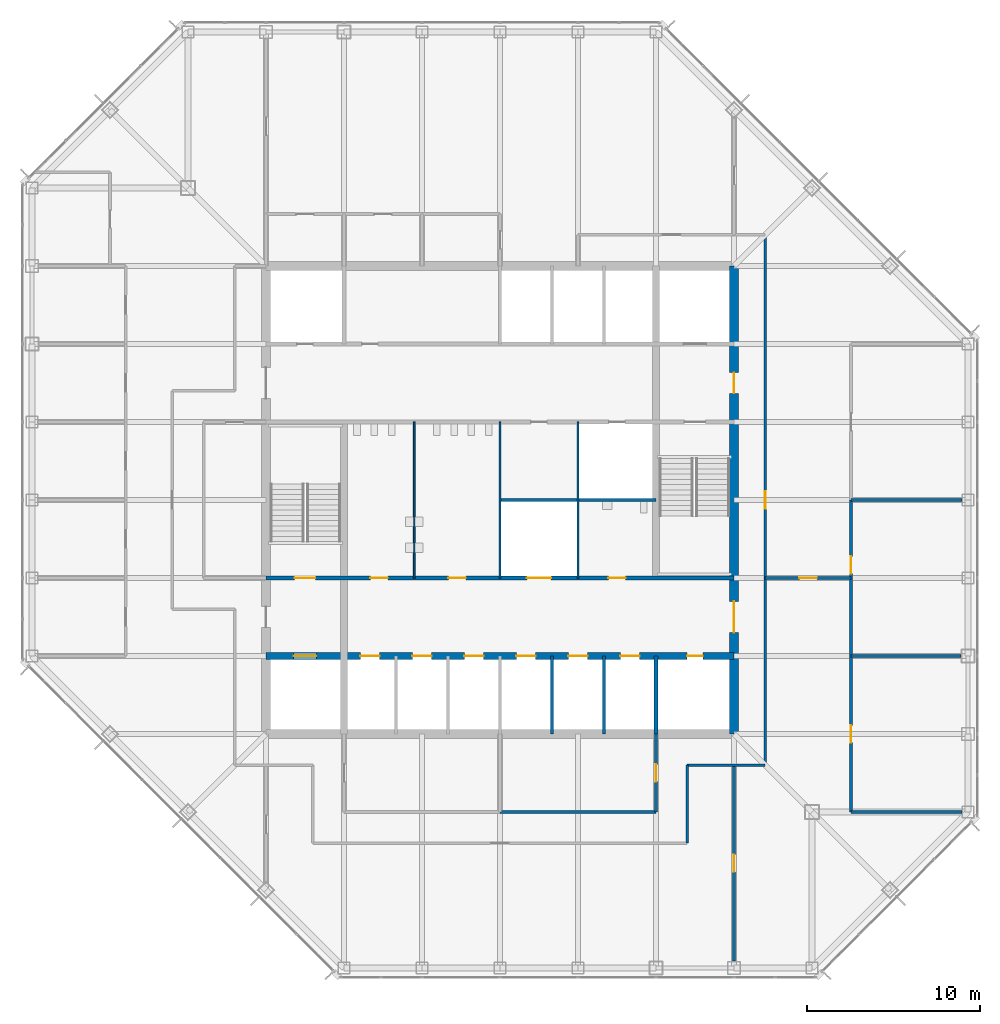
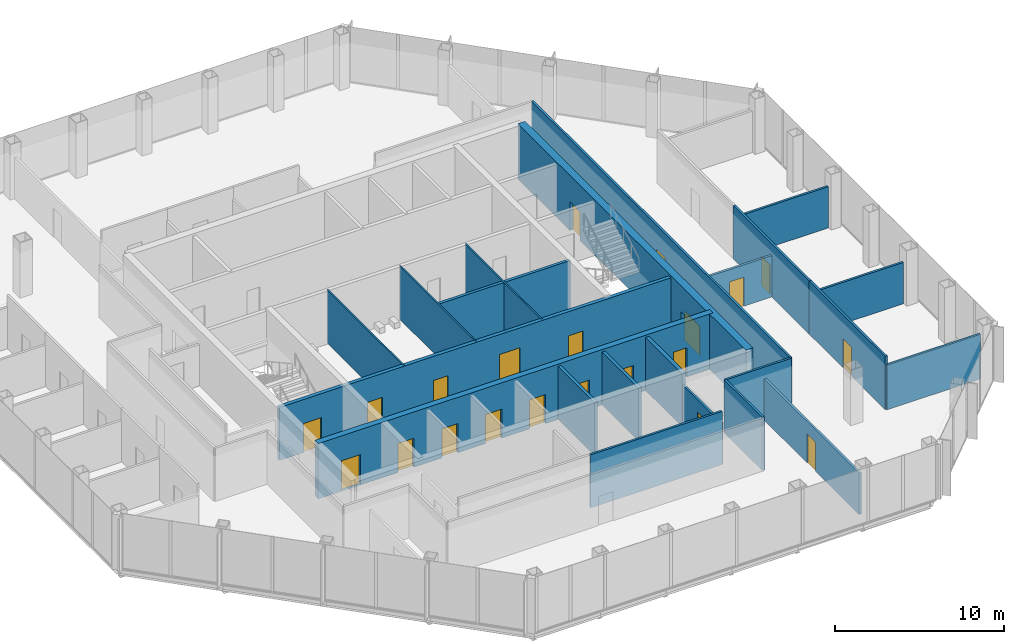
# One storey, part 9 of 13: 22 walls, 21 doors, 21 openings.
"""IFC4 building model written with IfcOpenShell, lengths in metres."""

from ifc_helpers import new_model, si_unit, direction, frame, frame_2d, origin, place, context, subcontext, project, spatial, rectangle, extrude, material, layer, layer_set, type_object, element, fill, save


model = new_model("IFC4")

# Units and contexts
model_context = context("Model", 3, precision=1e-05, world=origin(), true_north=direction((0.0, 1.0)))
body_context = subcontext(model_context, "Body", "Model", "MODEL_VIEW")
ifc_project = project(units=[si_unit("LENGTHUNIT", "METRE"), si_unit("AREAUNIT", "SQUARE_METRE"), si_unit("VOLUMEUNIT", "CUBIC_METRE"), si_unit("PLANEANGLEUNIT", "RADIAN"), si_unit("MASSUNIT", "GRAM", prefix="KILO")], contexts=[model_context])

# Site, building, storey
site_placement = place(None, origin())
site = spatial("IfcSite", under=ifc_project, at=site_placement, CompositionType="ELEMENT")
building_placement = place(site_placement, origin())
building = spatial("IfcBuilding", under=site, at=building_placement, Name="Corais Broadcast Tower", CompositionType="ELEMENT")
storey_placement = place(building_placement, frame((0.0, 0.0, 155.60009765625)))
storey = spatial("IfcBuildingStorey", under=building, at=storey_placement, Name="L35", CompositionType="ELEMENT", Elevation=155.60009765625)

# Wall
ifc_material_1 = material(Name="Concrete blockwork class A, grouted, two-hour", Category="masonry")
ifc_layer_1 = layer(ifc_material_1, 0.25)
ifc_layer_set_1 = layer_set([ifc_layer_1], Name="Concrete blockwork class A, grouted, two-hour")
wall_type_1 = type_object("IfcWallType", Name="Core lobby wall 250", PredefinedType="SOLIDWALL", material=ifc_layer_set_1)
wall_1_placement = place(storey_placement, frame((36.0, 13.5, 0.0), z_axis=(0.0, 0.0, 1.0), x_axis=(0.0, 1.0, 0.0)))
element("IfcWall", 1, at=wall_1_placement, inside=storey, type_object=wall_type_1, Name="CL2 core shaft wall X36A L35", PredefinedType="SOLIDWALL", context=body_context, shape_type="SweptSolid", body=[
    extrude(rectangle(XDim=4.5, YDim=0.25, at=frame_2d((2.25, 0.0))), origin(), (0.0, 0.0, 1.0), 3.83984375),
])

# Wall, openings, doors
wall_2_placement = place(storey_placement, frame((13.5, 22.5, 0.0), z_axis=(0.0, 0.0, 1.0), x_axis=(1.0, 0.0, 0.0)))
wall_2 = element("IfcWall", 2, at=wall_2_placement, inside=storey, type_object=wall_type_1, Name="CL2 core lobby wall Y225 L35", PredefinedType="SOLIDWALL", context=body_context, shape_type="SweptSolid", body=[
    extrude(rectangle(XDim=27.0, YDim=0.25, at=frame_2d((13.5, 0.0))), origin(), (0.0, 0.0, 1.0), 3.83984375),
])
opening_1_placement = place(wall_2_placement, frame((1.64990234375, 0.0, 0.0)))
opening_1 = element("IfcOpeningElement", 3, at=opening_1_placement, cuts=wall_2, Name="Opening FD1", PredefinedType="OPENING", context=body_context, shape_type="SweptSolid", body=[
    extrude(rectangle(XDim=1.199951171875, YDim=2.10009765625, at=frame_2d((0.60009765625, 1.050048828125))), frame((0.0, 0.135009765625, 0.0), z_axis=(0.0, -1.0, 0.0), x_axis=(1.0, 0.0, 0.0)), (0.0, 0.0, 1.0), 0.27001953125),
])
opening_2_placement = place(wall_2_placement, frame((6.02490234375, 0.0, 0.0)))
opening_2 = element("IfcOpeningElement", 4, at=opening_2_placement, cuts=wall_2, Name="Opening WD1", PredefinedType="OPENING", context=body_context, shape_type="SweptSolid", body=[
    extrude(rectangle(XDim=1.0, YDim=2.10009765625, at=frame_2d((0.5, 1.050048828125))), frame((0.0, 0.135009765625, 0.0), z_axis=(0.0, -1.0, 0.0), x_axis=(1.0, 0.0, 0.0)), (0.0, 0.0, 1.0), 0.27001953125),
])
opening_3_placement = place(wall_2_placement, frame((10.52490234375, 0.0, 0.0)))
opening_3 = element("IfcOpeningElement", 5, at=opening_3_placement, cuts=wall_2, Name="Opening WD1", PredefinedType="OPENING", context=body_context, shape_type="SweptSolid", body=[
    extrude(rectangle(XDim=1.0, YDim=2.10009765625, at=frame_2d((0.5, 1.050048828125))), frame((0.0, 0.135009765625, 0.0), z_axis=(0.0, -1.0, 0.0), x_axis=(1.0, 0.0, 0.0)), (0.0, 0.0, 1.0), 0.27001953125),
])
opening_4_placement = place(wall_2_placement, frame((19.75, 0.0, 0.0)))
opening_4 = element("IfcOpeningElement", 6, at=opening_4_placement, cuts=wall_2, Name="Opening WD1", PredefinedType="OPENING", context=body_context, shape_type="SweptSolid", body=[
    extrude(rectangle(XDim=1.0, YDim=2.10009765625, at=frame_2d((0.5, 1.050048828125))), frame((0.0, 0.135009765625, 0.0), z_axis=(0.0, -1.0, 0.0), x_axis=(1.0, 0.0, 0.0)), (0.0, 0.0, 1.0), 0.27001953125),
])
opening_5_placement = place(wall_2_placement, frame((15.050048828125, 0.0, 0.0)))
opening_5 = element("IfcOpeningElement", 7, at=opening_5_placement, cuts=wall_2, Name="Opening LD3", PredefinedType="OPENING", context=body_context, shape_type="SweptSolid", body=[
    extrude(rectangle(XDim=1.39990234375, YDim=2.39990234375, at=frame_2d((0.699951171875, 1.199951171875))), frame((0.0, 0.135009765625, 0.0), z_axis=(0.0, -1.0, 0.0), x_axis=(1.0, 0.0, 0.0)), (0.0, 0.0, 1.0), 0.27001953125),
])
ifc_material_2 = material(Name="Steel fire door", Category="steel")
door_type_1 = type_object("IfcDoorType", Name="Fire door 1200x2100", OperationType="SINGLE_SWING_LEFT", PredefinedType="DOOR", material=ifc_material_2)
door_1_placement = place(opening_1_placement, origin())
door_1 = element("IfcDoor", 8, at=door_1_placement, inside=storey, type_object=door_type_1, Name="FD1 stair A door L35", OperationType="SINGLE_SWING_LEFT", OverallHeight=2.10009765625, OverallWidth=1.199951171875, PredefinedType="DOOR", context=body_context, shape_type="SweptSolid", body=[
    extrude(rectangle(XDim=1.199951171875, YDim=2.10009765625, at=frame_2d((0.60009765625, 1.050048828125))), frame((0.0, 0.02490234375, 0.0), z_axis=(0.0, -1.0, 0.0), x_axis=(1.0, 0.0, 0.0)), (0.0, 0.0, 1.0), 0.050048828125),
])
fill(opening_1, door_1)
ifc_material_3 = material(Name="Stainless steel lift door", Category="steel")
door_type_2 = type_object("IfcDoorType", Name="Service lift landing door 1400x2400", OperationType="SLIDING_TO_LEFT", PredefinedType="DOOR", material=ifc_material_3)
door_2_placement = place(opening_5_placement, origin())
door_2 = element("IfcDoor", 9, at=door_2_placement, inside=storey, type_object=door_type_2, Name="LD3 SL1 landing door L35", OperationType="SLIDING_TO_LEFT", OverallHeight=2.39990234375, OverallWidth=1.39990234375, PredefinedType="DOOR", context=body_context, shape_type="SweptSolid", body=[
    extrude(rectangle(XDim=1.39990234375, YDim=2.39990234375, at=frame_2d((0.699951171875, 1.199951171875))), frame((0.0, 0.02490234375, 0.0), z_axis=(0.0, -1.0, 0.0), x_axis=(1.0, 0.0, 0.0)), (0.0, 0.0, 1.0), 0.050048828125),
])
fill(opening_5, door_2)
ifc_material_4 = material(Name="Timber door", Category="wood")
door_type_3 = type_object("IfcDoorType", Name="Toilet door 1000x2100", OperationType="SINGLE_SWING_LEFT", PredefinedType="DOOR", material=ifc_material_4)
door_3_placement = place(opening_2_placement, origin())
door_3 = element("IfcDoor", 10, at=door_3_placement, inside=storey, type_object=door_type_3, Name="WD1 WC male door L35", OperationType="SINGLE_SWING_LEFT", OverallHeight=2.10009765625, OverallWidth=1.0, PredefinedType="DOOR", context=body_context, shape_type="SweptSolid", body=[
    extrude(rectangle(XDim=1.0, YDim=2.10009765625, at=frame_2d((0.5, 1.050048828125))), frame((0.0, 0.02490234375, 0.0), z_axis=(0.0, -1.0, 0.0), x_axis=(1.0, 0.0, 0.0)), (0.0, 0.0, 1.0), 0.050048828125),
])
fill(opening_2, door_3)
door_4_placement = place(opening_3_placement, origin())
door_4 = element("IfcDoor", 11, at=door_4_placement, inside=storey, type_object=door_type_3, Name="WD1 WC female door L35", OperationType="SINGLE_SWING_LEFT", OverallHeight=2.10009765625, OverallWidth=1.0, PredefinedType="DOOR", context=body_context, shape_type="SweptSolid", body=[
    extrude(rectangle(XDim=1.0, YDim=2.10009765625, at=frame_2d((0.5, 1.050048828125))), frame((0.0, 0.02490234375, 0.0), z_axis=(0.0, -1.0, 0.0), x_axis=(1.0, 0.0, 0.0)), (0.0, 0.0, 1.0), 0.050048828125),
])
fill(opening_3, door_4)
door_5_placement = place(opening_4_placement, origin())
door_5 = element("IfcDoor", 12, at=door_5_placement, inside=storey, type_object=door_type_3, Name="WD1 accessible WC door L35", OperationType="SINGLE_SWING_RIGHT", OverallHeight=2.10009765625, OverallWidth=1.0, PredefinedType="DOOR", context=body_context, shape_type="SweptSolid", body=[
    extrude(rectangle(XDim=1.0, YDim=2.10009765625, at=frame_2d((0.5, 1.050048828125))), frame((0.0, 0.02490234375, 0.0), z_axis=(0.0, -1.0, 0.0), x_axis=(1.0, 0.0, 0.0)), (0.0, 0.0, 1.0), 0.050048828125),
])
fill(opening_4, door_5)

ifc_material_5 = material(Name="Concrete C50/60", Category="concrete")
ifc_layer_2 = layer(ifc_material_5, 0.39990234375)
ifc_layer_set_2 = layer_set([ifc_layer_2], Name="Concrete C50/60")
wall_type_2 = type_object("IfcWallType", Name="Core wall 400", PredefinedType="SHEAR", material=ifc_layer_set_2)
wall_3_placement = place(storey_placement, frame((13.5, 18.0, 0.0), z_axis=(0.0, 0.0, 1.0), x_axis=(1.0, 0.0, 0.0)))
wall_3 = element("IfcWall", 13, at=wall_3_placement, inside=storey, type_object=wall_type_2, Name="CR400 core wall Y18 L35", PredefinedType="SHEAR", context=body_context, shape_type="SweptSolid", body=[
    extrude(rectangle(XDim=27.0, YDim=0.39990234375, at=frame_2d((13.5, 0.0))), origin(), (0.0, 0.0, 1.0), 4.0),
])
opening_6_placement = place(wall_3_placement, frame((24.300048828125, 0.0, 0.0)))
opening_6 = element("IfcOpeningElement", 14, at=opening_6_placement, cuts=wall_3, Name="Opening RD1", PredefinedType="OPENING", context=body_context, shape_type="SweptSolid", body=[
    extrude(rectangle(XDim=0.89990234375, YDim=2.10009765625, at=frame_2d((0.449951171875, 1.050048828125))), frame((0.0, 0.2099609375, 0.0), z_axis=(0.0, -1.0, 0.0), x_axis=(1.0, 0.0, 0.0)), (0.0, 0.0, 1.0), 0.419921875),
])
opening_7_placement = place(wall_3_placement, frame((5.449951171875, 0.0, 0.0)))
opening_7 = element("IfcOpeningElement", 15, at=opening_7_placement, cuts=wall_3, Name="Opening LD1", PredefinedType="OPENING", context=body_context, shape_type="SweptSolid", body=[
    extrude(rectangle(XDim=1.10009765625, YDim=2.10009765625, at=frame_2d((0.550048828125, 1.050048828125))), frame((0.0, 0.2099609375, 0.0), z_axis=(0.0, -1.0, 0.0), x_axis=(1.0, 0.0, 0.0)), (0.0, 0.0, 1.0), 0.419921875),
])
opening_8_placement = place(wall_3_placement, frame((8.449951171875, 0.0, 0.0)))
opening_8 = element("IfcOpeningElement", 16, at=opening_8_placement, cuts=wall_3, Name="Opening LD1", PredefinedType="OPENING", context=body_context, shape_type="SweptSolid", body=[
    extrude(rectangle(XDim=1.10009765625, YDim=2.10009765625, at=frame_2d((0.550048828125, 1.050048828125))), frame((0.0, 0.2099609375, 0.0), z_axis=(0.0, -1.0, 0.0), x_axis=(1.0, 0.0, 0.0)), (0.0, 0.0, 1.0), 0.419921875),
])
opening_9_placement = place(wall_3_placement, frame((11.449951171875, 0.0, 0.0)))
opening_9 = element("IfcOpeningElement", 17, at=opening_9_placement, cuts=wall_3, Name="Opening LD1", PredefinedType="OPENING", context=body_context, shape_type="SweptSolid", body=[
    extrude(rectangle(XDim=1.10009765625, YDim=2.10009765625, at=frame_2d((0.550048828125, 1.050048828125))), frame((0.0, 0.2099609375, 0.0), z_axis=(0.0, -1.0, 0.0), x_axis=(1.0, 0.0, 0.0)), (0.0, 0.0, 1.0), 0.419921875),
])
opening_10_placement = place(wall_3_placement, frame((14.449951171875, 0.0, 0.0)))
opening_10 = element("IfcOpeningElement", 18, at=opening_10_placement, cuts=wall_3, Name="Opening LD1", PredefinedType="OPENING", context=body_context, shape_type="SweptSolid", body=[
    extrude(rectangle(XDim=1.10009765625, YDim=2.10009765625, at=frame_2d((0.550048828125, 1.050048828125))), frame((0.0, 0.2099609375, 0.0), z_axis=(0.0, -1.0, 0.0), x_axis=(1.0, 0.0, 0.0)), (0.0, 0.0, 1.0), 0.419921875),
])
opening_11_placement = place(wall_3_placement, frame((17.449951171875, 0.0, 0.0)))
opening_11 = element("IfcOpeningElement", 19, at=opening_11_placement, cuts=wall_3, Name="Opening LD1", PredefinedType="OPENING", context=body_context, shape_type="SweptSolid", body=[
    extrude(rectangle(XDim=1.10009765625, YDim=2.10009765625, at=frame_2d((0.550048828125, 1.050048828125))), frame((0.0, 0.2099609375, 0.0), z_axis=(0.0, -1.0, 0.0), x_axis=(1.0, 0.0, 0.0)), (0.0, 0.0, 1.0), 0.419921875),
])
opening_12_placement = place(wall_3_placement, frame((20.449951171875, 0.0, 0.0)))
opening_12 = element("IfcOpeningElement", 20, at=opening_12_placement, cuts=wall_3, Name="Opening LD1", PredefinedType="OPENING", context=body_context, shape_type="SweptSolid", body=[
    extrude(rectangle(XDim=1.10009765625, YDim=2.10009765625, at=frame_2d((0.550048828125, 1.050048828125))), frame((0.0, 0.2099609375, 0.0), z_axis=(0.0, -1.0, 0.0), x_axis=(1.0, 0.0, 0.0)), (0.0, 0.0, 1.0), 0.419921875),
])
opening_13_placement = place(wall_3_placement, frame((1.60009765625, 0.0, 0.0)))
opening_13 = element("IfcOpeningElement", 21, at=opening_13_placement, cuts=wall_3, Name="Opening LD2", PredefinedType="OPENING", context=body_context, shape_type="SweptSolid", body=[
    extrude(rectangle(XDim=1.300048828125, YDim=2.199951171875, at=frame_2d((0.64990234375, 1.10009765625))), frame((0.0, 0.2099609375, 0.0), z_axis=(0.0, -1.0, 0.0), x_axis=(1.0, 0.0, 0.0)), (0.0, 0.0, 1.0), 0.419921875),
])
ifc_material_6 = material(Name="Stainless steel lift door", Category="steel")
door_type_4 = type_object("IfcDoorType", Name="Lift landing door 1100x2100", OperationType="SLIDING_TO_LEFT", PredefinedType="DOOR", material=ifc_material_6)
door_6_placement = place(opening_7_placement, origin())
door_6 = element("IfcDoor", 22, at=door_6_placement, inside=storey, type_object=door_type_4, Name="LD1 PM1 landing door L35", OperationType="SLIDING_TO_LEFT", OverallHeight=2.10009765625, OverallWidth=1.10009765625, PredefinedType="DOOR", context=body_context, shape_type="SweptSolid", body=[
    extrude(rectangle(XDim=1.10009765625, YDim=2.10009765625, at=frame_2d((0.550048828125, 1.050048828125))), frame((0.0, 0.02490234375, 0.0), z_axis=(0.0, -1.0, 0.0), x_axis=(1.0, 0.0, 0.0)), (0.0, 0.0, 1.0), 0.050048828125),
])
fill(opening_7, door_6)
door_7_placement = place(opening_8_placement, origin())
door_7 = element("IfcDoor", 23, at=door_7_placement, inside=storey, type_object=door_type_4, Name="LD1 PM2 landing door L35", OperationType="SLIDING_TO_LEFT", OverallHeight=2.10009765625, OverallWidth=1.10009765625, PredefinedType="DOOR", context=body_context, shape_type="SweptSolid", body=[
    extrude(rectangle(XDim=1.10009765625, YDim=2.10009765625, at=frame_2d((0.550048828125, 1.050048828125))), frame((0.0, 0.02490234375, 0.0), z_axis=(0.0, -1.0, 0.0), x_axis=(1.0, 0.0, 0.0)), (0.0, 0.0, 1.0), 0.050048828125),
])
fill(opening_8, door_7)
door_8_placement = place(opening_9_placement, origin())
door_8 = element("IfcDoor", 24, at=door_8_placement, inside=storey, type_object=door_type_4, Name="LD1 PM3 landing door L35", OperationType="SLIDING_TO_LEFT", OverallHeight=2.10009765625, OverallWidth=1.10009765625, PredefinedType="DOOR", context=body_context, shape_type="SweptSolid", body=[
    extrude(rectangle(XDim=1.10009765625, YDim=2.10009765625, at=frame_2d((0.550048828125, 1.050048828125))), frame((0.0, 0.02490234375, 0.0), z_axis=(0.0, -1.0, 0.0), x_axis=(1.0, 0.0, 0.0)), (0.0, 0.0, 1.0), 0.050048828125),
])
fill(opening_9, door_8)
door_9_placement = place(opening_10_placement, origin())
door_9 = element("IfcDoor", 25, at=door_9_placement, inside=storey, type_object=door_type_4, Name="LD1 PM4 landing door L35", OperationType="SLIDING_TO_LEFT", OverallHeight=2.10009765625, OverallWidth=1.10009765625, PredefinedType="DOOR", context=body_context, shape_type="SweptSolid", body=[
    extrude(rectangle(XDim=1.10009765625, YDim=2.10009765625, at=frame_2d((0.550048828125, 1.050048828125))), frame((0.0, 0.02490234375, 0.0), z_axis=(0.0, -1.0, 0.0), x_axis=(1.0, 0.0, 0.0)), (0.0, 0.0, 1.0), 0.050048828125),
])
fill(opening_10, door_9)
door_10_placement = place(opening_11_placement, origin())
door_10 = element("IfcDoor", 26, at=door_10_placement, inside=storey, type_object=door_type_4, Name="LD1 PM5 landing door L35", OperationType="SLIDING_TO_LEFT", OverallHeight=2.10009765625, OverallWidth=1.10009765625, PredefinedType="DOOR", context=body_context, shape_type="SweptSolid", body=[
    extrude(rectangle(XDim=1.10009765625, YDim=2.10009765625, at=frame_2d((0.550048828125, 1.050048828125))), frame((0.0, 0.02490234375, 0.0), z_axis=(0.0, -1.0, 0.0), x_axis=(1.0, 0.0, 0.0)), (0.0, 0.0, 1.0), 0.050048828125),
])
fill(opening_11, door_10)
door_11_placement = place(opening_12_placement, origin())
door_11 = element("IfcDoor", 27, at=door_11_placement, inside=storey, type_object=door_type_4, Name="LD1 PM6 landing door L35", OperationType="SLIDING_TO_LEFT", OverallHeight=2.10009765625, OverallWidth=1.10009765625, PredefinedType="DOOR", context=body_context, shape_type="SweptSolid", body=[
    extrude(rectangle(XDim=1.10009765625, YDim=2.10009765625, at=frame_2d((0.550048828125, 1.050048828125))), frame((0.0, 0.02490234375, 0.0), z_axis=(0.0, -1.0, 0.0), x_axis=(1.0, 0.0, 0.0)), (0.0, 0.0, 1.0), 0.050048828125),
])
fill(opening_12, door_11)
ifc_material_7 = material(Name="Stainless steel lift door", Category="steel")
door_type_5 = type_object("IfcDoorType", Name="Lift landing door 1300x2200", OperationType="SLIDING_TO_LEFT", PredefinedType="DOOR", material=ifc_material_7)
door_12_placement = place(opening_13_placement, origin())
door_12 = element("IfcDoor", 28, at=door_12_placement, inside=storey, type_object=door_type_5, Name="LD2 FL1 landing door L35", OperationType="SLIDING_TO_LEFT", OverallHeight=2.199951171875, OverallWidth=1.300048828125, PredefinedType="DOOR", context=body_context, shape_type="SweptSolid", body=[
    extrude(rectangle(XDim=1.300048828125, YDim=2.199951171875, at=frame_2d((0.64990234375, 1.10009765625))), frame((0.0, 0.02490234375, 0.0), z_axis=(0.0, -1.0, 0.0), x_axis=(1.0, 0.0, 0.0)), (0.0, 0.0, 1.0), 0.050048828125),
])
fill(opening_13, door_12)
ifc_material_8 = material(Name="Steel fire door", Category="steel")
door_type_6 = type_object("IfcDoorType", Name="Riser door 900x2100", OperationType="SINGLE_SWING_LEFT", PredefinedType="DOOR", material=ifc_material_8)
door_13_placement = place(opening_6_placement, origin())
door_13 = element("IfcDoor", 29, at=door_13_placement, inside=storey, type_object=door_type_6, Name="RD1 riser door L35", OperationType="SINGLE_SWING_RIGHT", OverallHeight=2.10009765625, OverallWidth=0.89990234375, PredefinedType="DOOR", context=body_context, shape_type="SweptSolid", body=[
    extrude(rectangle(XDim=0.89990234375, YDim=2.10009765625, at=frame_2d((0.449951171875, 1.050048828125))), frame((0.0, 0.02490234375, 0.0), z_axis=(0.0, -1.0, 0.0), x_axis=(1.0, 0.0, 0.0)), (0.0, 0.0, 1.0), 0.050048828125),
])
fill(opening_6, door_13)

ifc_material_9 = material(Name="Concrete C50/60", Category="concrete")
ifc_layer_3 = layer(ifc_material_9, 0.5)
ifc_layer_set_3 = layer_set([ifc_layer_3], Name="Concrete C50/60")
wall_type_3 = type_object("IfcWallType", Name="Core wall 500", PredefinedType="SHEAR", material=ifc_layer_set_3)
wall_4_placement = place(storey_placement, frame((40.5, 13.5, 0.0), z_axis=(0.0, 0.0, 1.0), x_axis=(0.0, 1.0, 0.0)))
wall_4 = element("IfcWall", 30, at=wall_4_placement, inside=storey, type_object=wall_type_3, Name="CR500 core wall E L35", PredefinedType="SHEAR", context=body_context, shape_type="SweptSolid", body=[
    extrude(rectangle(XDim=27.0, YDim=0.5, at=frame_2d((13.5, 0.0))), origin(), (0.0, 0.0, 1.0), 4.0),
])
opening_14_placement = place(wall_4_placement, frame((5.85009765625, 0.0, 0.0)))
opening_14 = element("IfcOpeningElement", 31, at=opening_14_placement, cuts=wall_4, Name="Opening FD2", PredefinedType="OPENING", context=body_context, shape_type="SweptSolid", body=[
    extrude(rectangle(XDim=1.800048828125, YDim=2.10009765625, at=frame_2d((0.89990234375, 1.050048828125))), frame((0.0, 0.260009765625, 0.0), z_axis=(0.0, -1.0, 0.0), x_axis=(1.0, 0.0, 0.0)), (0.0, 0.0, 1.0), 0.52001953125),
])
opening_15_placement = place(wall_4_placement, frame((19.64990234375, 0.0, 0.0)))
opening_15 = element("IfcOpeningElement", 32, at=opening_15_placement, cuts=wall_4, Name="Opening FD1", PredefinedType="OPENING", context=body_context, shape_type="SweptSolid", body=[
    extrude(rectangle(XDim=1.199951171875, YDim=2.10009765625, at=frame_2d((0.60009765625, 1.050048828125))), frame((0.0, 0.260009765625, 0.0), z_axis=(0.0, -1.0, 0.0), x_axis=(1.0, 0.0, 0.0)), (0.0, 0.0, 1.0), 0.52001953125),
])
door_14_placement = place(opening_15_placement, origin())
door_14 = element("IfcDoor", 33, at=door_14_placement, inside=storey, type_object=door_type_1, Name="FD1 fire lobby B door L35", OperationType="SINGLE_SWING_RIGHT", OverallHeight=2.10009765625, OverallWidth=1.199951171875, PredefinedType="DOOR", context=body_context, shape_type="SweptSolid", body=[
    extrude(rectangle(XDim=1.199951171875, YDim=2.10009765625, at=frame_2d((0.60009765625, 1.050048828125))), frame((0.0, 0.02490234375, 0.0), z_axis=(0.0, -1.0, 0.0), x_axis=(1.0, 0.0, 0.0)), (0.0, 0.0, 1.0), 0.050048828125),
])
fill(opening_15, door_14)
ifc_material_10 = material(Name="Steel fire door", Category="steel")
door_type_7 = type_object("IfcDoorType", Name="Fire door pair 1800x2100", OperationType="DOUBLE_DOOR_SINGLE_SWING", PredefinedType="DOOR", material=ifc_material_10)
door_15_placement = place(opening_14_placement, origin())
door_15 = element("IfcDoor", 34, at=door_15_placement, inside=storey, type_object=door_type_7, Name="FD2 lift lobby door L35", OperationType="SINGLE_SWING_LEFT", OverallHeight=2.10009765625, OverallWidth=1.800048828125, PredefinedType="DOOR", context=body_context, shape_type="SweptSolid", body=[
    extrude(rectangle(XDim=1.800048828125, YDim=2.10009765625, at=frame_2d((0.89990234375, 1.050048828125))), frame((0.0, 0.02490234375, 0.0), z_axis=(0.0, -1.0, 0.0), x_axis=(1.0, 0.0, 0.0)), (0.0, 0.0, 1.0), 0.050048828125),
])
fill(opening_14, door_15)

# Wall, opening, door
ifc_material_11 = material(Name="Gypsum board on steel studs", Category="steel")
ifc_layer_4 = layer(ifc_material_11, 0.14990234375)
ifc_layer_set_4 = layer_set([ifc_layer_4], Name="Gypsum board on steel studs")
wall_type_4 = type_object("IfcWallType", Name="Partition 150", PredefinedType="PARTITIONING", material=ifc_layer_set_4)
wall_5_placement = place(storey_placement, frame((42.300048828125, 11.699951171875, 0.0), z_axis=(0.0, 0.0, 1.0), x_axis=(0.0, 1.0, 0.0)))
wall_5 = element("IfcWall", 35, at=wall_5_placement, inside=storey, type_object=wall_type_4, Name="IW3 corridor wall L35", PredefinedType="PARTITIONING", context=body_context, shape_type="SweptSolid", body=[
    extrude(rectangle(XDim=30.60009765625, YDim=0.14990234375, at=frame_2d((15.300048828125, 0.0))), origin(), (0.0, 0.0, 1.0), 3.83984375),
])
opening_16_placement = place(wall_5_placement, frame((14.800048828125, 0.0, 0.0)))
opening_16 = element("IfcOpeningElement", 36, at=opening_16_placement, cuts=wall_5, Name="Opening D1", PredefinedType="OPENING", context=body_context, shape_type="SweptSolid", body=[
    extrude(rectangle(XDim=1.0, YDim=2.10009765625, at=frame_2d((0.5, 1.050048828125))), frame((0.0, 0.0849609375, 0.0), z_axis=(0.0, -1.0, 0.0), x_axis=(1.0, 0.0, 0.0)), (0.0, 0.0, 1.0), 0.169921875),
])
ifc_material_12 = material(Name="Timber door", Category="wood")
door_type_8 = type_object("IfcDoorType", Name="Single door 1000x2100", OperationType="SINGLE_SWING_LEFT", PredefinedType="DOOR", material=ifc_material_12)
door_16_placement = place(opening_16_placement, origin())
door_16 = element("IfcDoor", 37, at=door_16_placement, inside=storey, type_object=door_type_8, Name="D1 workplace door L35", OperationType="SINGLE_SWING_LEFT", OverallHeight=2.10009765625, OverallWidth=1.0, PredefinedType="DOOR", context=body_context, shape_type="SweptSolid", body=[
    extrude(rectangle(XDim=1.0, YDim=2.10009765625, at=frame_2d((0.5, 1.050048828125))), frame((0.0, 0.02490234375, 0.0), z_axis=(0.0, -1.0, 0.0), x_axis=(1.0, 0.0, 0.0)), (0.0, 0.0, 1.0), 0.050048828125),
])
fill(opening_16, door_16)

# Walls
for number, where, z_axis, x_axis, name in (
    (38, (37.800048828125, 7.199951171875, 0.0), (0.0, 0.0, 1.0), (0.0, 1.0, 0.0), "IW3 corridor wall L35"),
    (39, (37.800048828125, 11.699951171875, 0.0), (0.0, 0.0, 1.0), (1.0, 0.0, 0.0), "IW3 corridor wall L35"),
):
    element("IfcWall", number, at=place(storey_placement, frame(where, z_axis=z_axis, x_axis=x_axis)), inside=storey, type_object=wall_type_4, Name=name, PredefinedType="PARTITIONING", context=body_context, shape_type="SweptSolid", body=[
        extrude(rectangle(XDim=4.5, YDim=0.14990234375, at=frame_2d((2.25, 0.0))), origin(), (0.0, 0.0, 1.0), 3.83984375),
    ])
wall_6_placement = place(storey_placement, frame((47.25, 9.0, 0.0), z_axis=(0.0, 0.0, 1.0), x_axis=(1.0, 0.0, 0.0)))
element("IfcWall", 40, at=wall_6_placement, inside=storey, type_object=wall_type_4, Name="IW3 partition L35", PredefinedType="PARTITIONING", context=body_context, shape_type="SweptSolid", body=[
    extrude(rectangle(XDim=6.389892578125, YDim=0.14990234375, at=frame_2d((3.19482421875, 0.0))), origin(), (0.0, 0.0, 1.0), 3.22900390625),
])
wall_7_placement = place(storey_placement, frame((53.590087890625, 18.0, 0.0), z_axis=(0.0, 0.0, 1.0), x_axis=(-1.0, 0.0, 0.0)))
element("IfcWall", 41, at=wall_7_placement, inside=storey, type_object=wall_type_4, Name="IW3 partition L35", PredefinedType="PARTITIONING", context=body_context, shape_type="SweptSolid", body=[
    extrude(rectangle(XDim=6.340087890625, YDim=0.14990234375, at=frame_2d((3.169921875, 0.0))), origin(), (0.0, 0.0, 1.0), 2.989013671875),
])

# Wall, opening, door
wall_8_placement = place(storey_placement, frame((47.25, 18.0, 0.0), z_axis=(0.0, 0.0, 1.0), x_axis=(0.0, -1.0, 0.0)))
wall_8 = element("IfcWall", 42, at=wall_8_placement, inside=storey, type_object=wall_type_4, Name="IW3 partition L35", PredefinedType="PARTITIONING", context=body_context, shape_type="SweptSolid", body=[
    extrude(rectangle(XDim=9.0, YDim=0.14990234375, at=frame_2d((4.5, 0.0))), origin(), (0.0, 0.0, 1.0), 3.83984375),
])
opening_17_placement = place(wall_8_placement, frame((4.0, 0.0, 0.0)))
opening_17 = element("IfcOpeningElement", 43, at=opening_17_placement, cuts=wall_8, Name="Opening D1", PredefinedType="OPENING", context=body_context, shape_type="SweptSolid", body=[
    extrude(rectangle(XDim=1.0, YDim=2.10009765625, at=frame_2d((0.5, 1.050048828125))), frame((0.0, 0.0849609375, 0.0), z_axis=(0.0, -1.0, 0.0), x_axis=(1.0, 0.0, 0.0)), (0.0, 0.0, 1.0), 0.169921875),
])
door_17_placement = place(opening_17_placement, origin())
door_17 = element("IfcDoor", 44, at=door_17_placement, inside=storey, type_object=door_type_8, Name="D1 Creative office door", OperationType="SINGLE_SWING_LEFT", OverallHeight=2.10009765625, OverallWidth=1.0, PredefinedType="DOOR", context=body_context, shape_type="SweptSolid", body=[
    extrude(rectangle(XDim=1.0, YDim=2.10009765625, at=frame_2d((0.5, 1.050048828125))), frame((0.0, 0.02490234375, 0.0), z_axis=(0.0, -1.0, 0.0), x_axis=(1.0, 0.0, 0.0)), (0.0, 0.0, 1.0), 0.050048828125),
])
fill(opening_17, door_17)

# Wall
wall_9_placement = place(storey_placement, frame((53.639892578125, 27.0, 0.0), z_axis=(0.0, 0.0, 1.0), x_axis=(-1.0, 0.0, 0.0)))
element("IfcWall", 45, at=wall_9_placement, inside=storey, type_object=wall_type_4, Name="IW3 partition L35", PredefinedType="PARTITIONING", context=body_context, shape_type="SweptSolid", body=[
    extrude(rectangle(XDim=6.389892578125, YDim=0.14990234375, at=frame_2d((3.19482421875, 0.0))), origin(), (0.0, 0.0, 1.0), 2.989013671875),
])

# Wall, opening, door
wall_10_placement = place(storey_placement, frame((47.25, 27.0, 0.0), z_axis=(0.0, 0.0, 1.0), x_axis=(0.0, -1.0, 0.0)))
wall_10 = element("IfcWall", 46, at=wall_10_placement, inside=storey, type_object=wall_type_4, Name="IW3 partition L35", PredefinedType="PARTITIONING", context=body_context, shape_type="SweptSolid", body=[
    extrude(rectangle(XDim=9.0, YDim=0.14990234375, at=frame_2d((4.5, 0.0))), origin(), (0.0, 0.0, 1.0), 3.83984375),
])
opening_18_placement = place(wall_10_placement, frame((3.25, 0.0, 0.0)))
opening_18 = element("IfcOpeningElement", 47, at=opening_18_placement, cuts=wall_10, Name="Opening D1", PredefinedType="OPENING", context=body_context, shape_type="SweptSolid", body=[
    extrude(rectangle(XDim=1.0, YDim=2.10009765625, at=frame_2d((0.5, 1.050048828125))), frame((0.0, 0.0849609375, 0.0), z_axis=(0.0, -1.0, 0.0), x_axis=(1.0, 0.0, 0.0)), (0.0, 0.0, 1.0), 0.169921875),
])
door_18_placement = place(opening_18_placement, origin())
door_18 = element("IfcDoor", 48, at=door_18_placement, inside=storey, type_object=door_type_8, Name="D1 Creative office door", OperationType="SINGLE_SWING_LEFT", OverallHeight=2.10009765625, OverallWidth=1.0, PredefinedType="DOOR", context=body_context, shape_type="SweptSolid", body=[
    extrude(rectangle(XDim=1.0, YDim=2.10009765625, at=frame_2d((0.5, 1.050048828125))), frame((0.0, 0.02490234375, 0.0), z_axis=(0.0, -1.0, 0.0), x_axis=(1.0, 0.0, 0.0)), (0.0, 0.0, 1.0), 0.050048828125),
])
fill(opening_18, door_18)

# Wall
wall_11_placement = place(storey_placement, frame((27.0, 9.0, 0.0), z_axis=(0.0, 0.0, 1.0), x_axis=(1.0, 0.0, 0.0)))
element("IfcWall", 49, at=wall_11_placement, inside=storey, type_object=wall_type_4, Name="IW3 partition L35", PredefinedType="PARTITIONING", context=body_context, shape_type="SweptSolid", body=[
    extrude(rectangle(XDim=9.0, YDim=0.14990234375, at=frame_2d((4.5, 0.0))), origin(), (0.0, 0.0, 1.0), 3.83984375),
])

# Wall, opening, door
wall_12_placement = place(storey_placement, frame((36.0, 9.0, 0.0), z_axis=(0.0, 0.0, 1.0), x_axis=(0.0, 1.0, 0.0)))
wall_12 = element("IfcWall", 50, at=wall_12_placement, inside=storey, type_object=wall_type_4, Name="IW3 partition L35", PredefinedType="PARTITIONING", context=body_context, shape_type="SweptSolid", body=[
    extrude(rectangle(XDim=4.5, YDim=0.14990234375, at=frame_2d((2.25, 0.0))), origin(), (0.0, 0.0, 1.0), 2.989013671875),
])
opening_19_placement = place(wall_12_placement, frame((1.75, 0.0, 0.0)))
opening_19 = element("IfcOpeningElement", 51, at=opening_19_placement, cuts=wall_12, Name="Opening D1", PredefinedType="OPENING", context=body_context, shape_type="SweptSolid", body=[
    extrude(rectangle(XDim=1.0, YDim=2.10009765625, at=frame_2d((0.5, 1.050048828125))), frame((0.0, 0.0849609375, 0.0), z_axis=(0.0, -1.0, 0.0), x_axis=(1.0, 0.0, 0.0)), (0.0, 0.0, 1.0), 0.169921875),
])
door_19_placement = place(opening_19_placement, origin())
door_19 = element("IfcDoor", 52, at=door_19_placement, inside=storey, type_object=door_type_8, Name="D1 Meeting room door", OperationType="SINGLE_SWING_LEFT", OverallHeight=2.10009765625, OverallWidth=1.0, PredefinedType="DOOR", context=body_context, shape_type="SweptSolid", body=[
    extrude(rectangle(XDim=1.0, YDim=2.10009765625, at=frame_2d((0.5, 1.050048828125))), frame((0.0, 0.02490234375, 0.0), z_axis=(0.0, -1.0, 0.0), x_axis=(1.0, 0.0, 0.0)), (0.0, 0.0, 1.0), 0.050048828125),
])
fill(opening_19, door_19)

wall_13_placement = place(storey_placement, frame((40.5, 0.39501953125, 0.0), z_axis=(0.0, 0.0, 1.0), x_axis=(0.0, 1.0, 0.0)))
wall_13 = element("IfcWall", 53, at=wall_13_placement, inside=storey, type_object=wall_type_4, Name="IW3 partition L35", PredefinedType="PARTITIONING", context=body_context, shape_type="SweptSolid", body=[
    extrude(rectangle(XDim=11.304931640625, YDim=0.14990234375, at=frame_2d((5.65234375, 0.0))), origin(), (0.0, 0.0, 1.0), 2.989013671875),
])
opening_20_placement = place(wall_13_placement, frame((5.152587890625, 0.0, 0.0)))
opening_20 = element("IfcOpeningElement", 54, at=opening_20_placement, cuts=wall_13, Name="Opening D1", PredefinedType="OPENING", context=body_context, shape_type="SweptSolid", body=[
    extrude(rectangle(XDim=1.0, YDim=2.10009765625, at=frame_2d((0.5, 1.050048828125))), frame((0.0, 0.0849609375, 0.0), z_axis=(0.0, -1.0, 0.0), x_axis=(1.0, 0.0, 0.0)), (0.0, 0.0, 1.0), 0.169921875),
])
door_20_placement = place(opening_20_placement, origin())
door_20 = element("IfcDoor", 55, at=door_20_placement, inside=storey, type_object=door_type_8, Name="D1 team room door L35", OperationType="SINGLE_SWING_LEFT", OverallHeight=2.10009765625, OverallWidth=1.0, PredefinedType="DOOR", context=body_context, shape_type="SweptSolid", body=[
    extrude(rectangle(XDim=1.0, YDim=2.10009765625, at=frame_2d((0.5, 1.050048828125))), frame((0.0, 0.02490234375, 0.0), z_axis=(0.0, -1.0, 0.0), x_axis=(1.0, 0.0, 0.0)), (0.0, 0.0, 1.0), 0.050048828125),
])
fill(opening_20, door_20)

wall_14_placement = place(storey_placement, frame((42.300048828125, 22.5, 0.0), z_axis=(0.0, 0.0, 1.0), x_axis=(1.0, 0.0, 0.0)))
wall_14 = element("IfcWall", 56, at=wall_14_placement, inside=storey, type_object=wall_type_4, Name="IW3 partition L35", PredefinedType="PARTITIONING", context=body_context, shape_type="SweptSolid", body=[
    extrude(rectangle(XDim=4.949951171875, YDim=0.14990234375, at=frame_2d((2.47509765625, 0.0))), origin(), (0.0, 0.0, 1.0), 2.989013671875),
])
opening_21_placement = place(wall_14_placement, frame((1.97509765625, 0.0, 0.0)))
opening_21 = element("IfcOpeningElement", 57, at=opening_21_placement, cuts=wall_14, Name="Opening D1", PredefinedType="OPENING", context=body_context, shape_type="SweptSolid", body=[
    extrude(rectangle(XDim=1.0, YDim=2.10009765625, at=frame_2d((0.5, 1.050048828125))), frame((0.0, 0.0849609375, 0.0), z_axis=(0.0, -1.0, 0.0), x_axis=(1.0, 0.0, 0.0)), (0.0, 0.0, 1.0), 0.169921875),
])
door_21_placement = place(opening_21_placement, origin())
door_21 = element("IfcDoor", 58, at=door_21_placement, inside=storey, type_object=door_type_8, Name="D1 team room door L35", OperationType="SINGLE_SWING_LEFT", OverallHeight=2.10009765625, OverallWidth=1.0, PredefinedType="DOOR", context=body_context, shape_type="SweptSolid", body=[
    extrude(rectangle(XDim=1.0, YDim=2.10009765625, at=frame_2d((0.5, 1.050048828125))), frame((0.0, 0.02490234375, 0.0), z_axis=(0.0, -1.0, 0.0), x_axis=(1.0, 0.0, 0.0)), (0.0, 0.0, 1.0), 0.050048828125),
])
fill(opening_21, door_21)

# Walls
ifc_material_13 = material(Name="Concrete blockwork class A, grouted, two-hour", Category="masonry")
ifc_layer_5 = layer(ifc_material_13, 0.199951171875)
ifc_layer_set_5 = layer_set([ifc_layer_5], Name="Concrete blockwork class A, grouted, two-hour")
wall_type_5 = type_object("IfcWallType", Name="Shaft wall 200", PredefinedType="PARTITIONING", material=ifc_layer_set_5)
for number, where, z_axis, x_axis, name in (
    (59, (30.0, 13.5, 0.0), (0.0, 0.0, 1.0), (0.0, 1.0, 0.0), "IW1 shaft wall L35"),
    (60, (33.0, 13.5, 0.0), (0.0, 0.0, 1.0), (0.0, 1.0, 0.0), "IW1 shaft wall L35"),
):
    element("IfcWall", number, at=place(storey_placement, frame(where, z_axis=z_axis, x_axis=x_axis)), inside=storey, type_object=wall_type_5, Name=name, PredefinedType="PARTITIONING", context=body_context, shape_type="SweptSolid", body=[
        extrude(rectangle(XDim=4.5, YDim=0.199951171875, at=frame_2d((2.25, 0.0))), origin(), (0.0, 0.0, 1.0), 3.83984375),
    ])
wall_15_placement = place(storey_placement, frame((27.0, 27.0, 0.0), z_axis=(0.0, 0.0, 1.0), x_axis=(1.0, 0.0, 0.0)))
element("IfcWall", 61, at=wall_15_placement, inside=storey, type_object=wall_type_5, Name="IW1 shaft wall L35", PredefinedType="PARTITIONING", context=body_context, shape_type="SweptSolid", body=[
    extrude(rectangle(XDim=9.0, YDim=0.199951171875, at=frame_2d((4.5, 0.0))), origin(), (0.0, 0.0, 1.0), 3.83984375),
])
ifc_material_14 = material(Name="Dense concrete blockwork class A, tiled both faces", Category="masonry")
ifc_layer_6 = layer(ifc_material_14, 0.10009765625)
ifc_layer_set_6 = layer_set([ifc_layer_6], Name="Dense concrete blockwork class A, tiled both faces")
wall_type_6 = type_object("IfcWallType", Name="Toilet wall 100", PredefinedType="PLUMBINGWALL", material=ifc_layer_set_6)
for number, where, z_axis, x_axis, name in (
    (62, (22.050048828125, 22.5, 0.0), (0.0, 0.0, 1.0), (0.0, 1.0, 0.0), "IW2 toilet wall L35"),
    (63, (27.0, 22.5, 0.0), (0.0, 0.0, 1.0), (0.0, 1.0, 0.0), "IW2 toilet wall L35"),
    (64, (31.5, 22.5, 0.0), (0.0, 0.0, 1.0), (0.0, 1.0, 0.0), "IW2 toilet wall L35"),
):
    element("IfcWall", number, at=place(storey_placement, frame(where, z_axis=z_axis, x_axis=x_axis)), inside=storey, type_object=wall_type_6, Name=name, PredefinedType="PLUMBINGWALL", context=body_context, shape_type="SweptSolid", body=[
        extrude(rectangle(XDim=9.0, YDim=0.10009765625, at=frame_2d((4.5, 0.0))), origin(), (0.0, 0.0, 1.0), 3.83984375),
    ])

save(model, "model.ifc")
